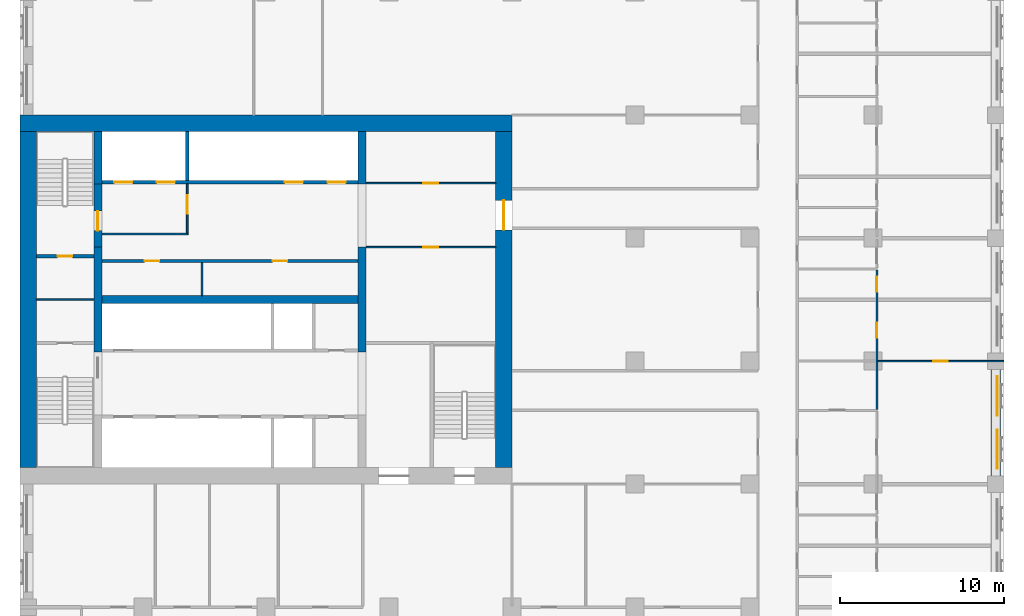
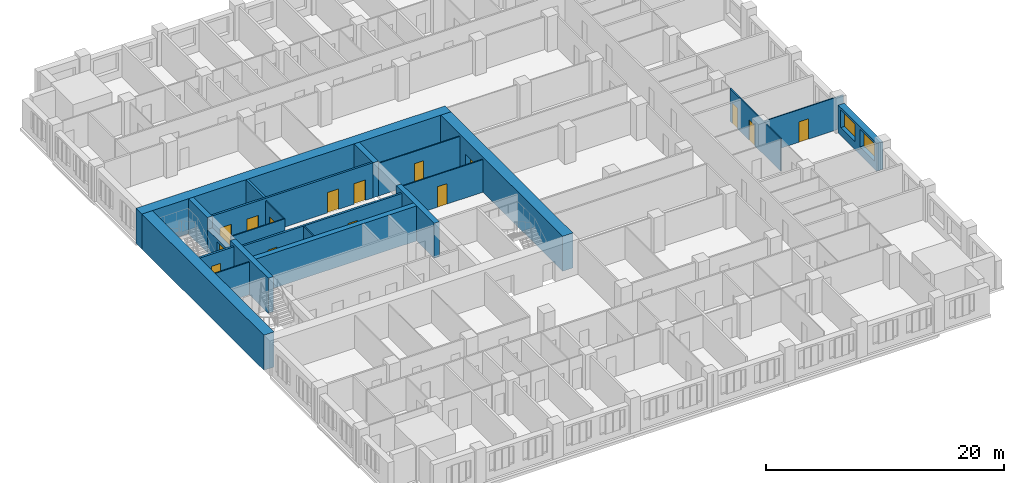
# One storey, part 8 of 15: 22 walls, 15 doors, 2 windows, 17 openings.
"""IFC4 building model written with IfcOpenShell, lengths in metres."""

from ifc_helpers import new_model, si_unit, direction, frame, frame_2d, origin, place, context, subcontext, project, spatial, rectangle, extrude, material, layer, layer_set, type_object, element, fill, save


model = new_model("IFC4")

# Units and contexts
model_context = context("Model", 3, precision=1e-05, world=origin(), true_north=direction((0.0, 1.0)))
body_context = subcontext(model_context, "Body", "Model", "MODEL_VIEW")
ifc_project = project(units=[si_unit("LENGTHUNIT", "METRE"), si_unit("AREAUNIT", "SQUARE_METRE"), si_unit("VOLUMEUNIT", "CUBIC_METRE"), si_unit("PLANEANGLEUNIT", "RADIAN"), si_unit("MASSUNIT", "GRAM", prefix="KILO")], contexts=[model_context])

# Site, building, storey
site_placement = place(None, origin())
site = spatial("IfcSite", under=ifc_project, at=site_placement, CompositionType="ELEMENT")
building_placement = place(site_placement, origin())
building = spatial("IfcBuilding", under=site, at=building_placement, Name="Tamorin Gate", CompositionType="ELEMENT")
storey_placement = place(building_placement, frame((0.0, 0.0, 97.10009765625)))
storey = spatial("IfcBuildingStorey", under=building, at=storey_placement, Name="L23", CompositionType="ELEMENT", Elevation=97.10009765625)

# Wall, openings, windows
ifc_material_1 = material(Name="Precast concrete C40/50", Category="concrete")
ifc_layer_1 = layer(ifc_material_1, 0.60009765625)
ifc_layer_set_1 = layer_set([ifc_layer_1], Name="Precast concrete C40/50")
wall_type_1 = type_object("IfcWallType", Name="Board-marked concrete facade panel 600", PredefinedType="SOLIDWALL", material=ifc_layer_set_1)
wall_1_placement = place(storey_placement, frame((89.5, 60.5, 0.0), z_axis=(0.0, 0.0, 1.0), x_axis=(0.0, 1.0, 0.0)))
wall_1 = element("IfcWall", 1, at=wall_1_placement, inside=storey, type_object=wall_type_1, Name="Facade panel", PredefinedType="SOLIDWALL", context=body_context, shape_type="SweptSolid", body=[
    extrude(rectangle(XDim=6.5, YDim=0.60009765625, at=frame_2d((3.25, 0.0))), origin(), (0.0, 0.0, 1.0), 2.849853515625),
])
opening_1_placement = place(wall_1_placement, frame((0.425048828125, 0.0, 0.800048828125)))
opening_1 = element("IfcOpeningElement", 2, at=opening_1_placement, cuts=wall_1, Name="Opening WN1", PredefinedType="OPENING", context=body_context, shape_type="SweptSolid", body=[
    extrude(rectangle(XDim=2.39990234375, YDim=1.800048828125, at=frame_2d((1.199951171875, 0.89990234375))), frame((0.0, 0.31005859375, 0.0), z_axis=(0.0, -1.0, 0.0), x_axis=(1.0, 0.0, 0.0)), (0.0, 0.0, 1.0), 0.6201171875),
])
opening_2_placement = place(wall_1_placement, frame((3.675048828125, 0.0, 0.800048828125)))
opening_2 = element("IfcOpeningElement", 3, at=opening_2_placement, cuts=wall_1, Name="Opening WN1", PredefinedType="OPENING", context=body_context, shape_type="SweptSolid", body=[
    extrude(rectangle(XDim=2.39990234375, YDim=1.800048828125, at=frame_2d((1.199951171875, 0.89990234375))), frame((0.0, 0.31005859375, 0.0), z_axis=(0.0, -1.0, 0.0), x_axis=(1.0, 0.0, 0.0)), (0.0, 0.0, 1.0), 0.6201171875),
])
ifc_material_2 = material(Name="Clear glass in aluminium frame", Category="aluminium")
window_type = type_object("IfcWindowType", Name="Deep-set window 2400x1800", PartitioningType="SINGLE_PANEL", PredefinedType="WINDOW", material=ifc_material_2)
window_1_placement = place(opening_1_placement, origin())
window_1 = element("IfcWindow", 4, at=window_1_placement, inside=storey, type_object=window_type, Name="Deep-set window", OverallHeight=1.800048828125, OverallWidth=2.39990234375, PartitioningType="SINGLE_PANEL", PredefinedType="WINDOW", context=body_context, shape_type="SweptSolid", body=[
    extrude(rectangle(XDim=2.39990234375, YDim=1.800048828125, at=frame_2d((1.199951171875, 0.89990234375))), frame((0.0, -0.070068359375, 0.0), z_axis=(0.0, -1.0, 0.0), x_axis=(1.0, 0.0, 0.0)), (0.0, 0.0, 1.0), 0.06005859375),
])
fill(opening_1, window_1)
window_2_placement = place(opening_2_placement, origin())
window_2 = element("IfcWindow", 5, at=window_2_placement, inside=storey, type_object=window_type, Name="Deep-set window", OverallHeight=1.800048828125, OverallWidth=2.39990234375, PartitioningType="SINGLE_PANEL", PredefinedType="WINDOW", context=body_context, shape_type="SweptSolid", body=[
    extrude(rectangle(XDim=2.39990234375, YDim=1.800048828125, at=frame_2d((1.199951171875, 0.89990234375))), frame((0.0, -0.070068359375, 0.0), z_axis=(0.0, -1.0, 0.0), x_axis=(1.0, 0.0, 0.0)), (0.0, 0.0, 1.0), 0.06005859375),
])
fill(opening_2, window_2)

# Wall, openings, doors
ifc_material_3 = material(Name="Concrete C32/40", Category="concrete")
ifc_layer_2 = layer(ifc_material_3, 0.199951171875)
ifc_layer_set_2 = layer_set([ifc_layer_2], Name="Lift lobby face wall 200 EI 120")
wall_type_2 = type_object("IfcWallType", Name="Lift lobby face wall 200 EI 120", PredefinedType="SOLIDWALL", material=ifc_layer_set_2)
wall_2_placement = place(storey_placement, frame((35.0, 78.39990234375, 0.0), z_axis=(0.0, 0.0, 1.0), x_axis=(1.0, 0.0, 0.0)))
wall_2 = element("IfcWall", 6, at=wall_2_placement, inside=storey, type_object=wall_type_2, Name="Lift lobby face wall", PredefinedType="SOLIDWALL", context=body_context, shape_type="SweptSolid", body=[
    extrude(rectangle(XDim=15.60009765625, YDim=0.199951171875, at=frame_2d((7.800048828125, 0.0))), origin(), (0.0, 0.0, 1.0), 3.599853515625),
])
opening_3_placement = place(wall_2_placement, frame((0.75, 0.0, 0.0)))
opening_3 = element("IfcOpeningElement", 7, at=opening_3_placement, cuts=wall_2, Name="Opening LD17", PredefinedType="OPENING", context=body_context, shape_type="SweptSolid", body=[
    extrude(rectangle(XDim=1.10009765625, YDim=2.10009765625, at=frame_2d((0.550048828125, 1.050048828125))), frame((0.0, 0.10986328125, 0.0), z_axis=(0.0, -1.0, 0.0), x_axis=(1.0, 0.0, 0.0)), (0.0, 0.0, 1.0), 0.219970703125),
])
opening_4_placement = place(wall_2_placement, frame((3.35009765625, 0.0, 0.0)))
opening_4 = element("IfcOpeningElement", 8, at=opening_4_placement, cuts=wall_2, Name="Opening LD18", PredefinedType="OPENING", context=body_context, shape_type="SweptSolid", body=[
    extrude(rectangle(XDim=1.10009765625, YDim=2.10009765625, at=frame_2d((0.550048828125, 1.050048828125))), frame((0.0, 0.10986328125, 0.0), z_axis=(0.0, -1.0, 0.0), x_axis=(1.0, 0.0, 0.0)), (0.0, 0.0, 1.0), 0.219970703125),
])
opening_5_placement = place(wall_2_placement, frame((11.14990234375, 0.0, 0.0)))
opening_5 = element("IfcOpeningElement", 9, at=opening_5_placement, cuts=wall_2, Name="Opening LD21", PredefinedType="OPENING", context=body_context, shape_type="SweptSolid", body=[
    extrude(rectangle(XDim=1.10009765625, YDim=2.10009765625, at=frame_2d((0.550048828125, 1.050048828125))), frame((0.0, 0.10986328125, 0.0), z_axis=(0.0, -1.0, 0.0), x_axis=(1.0, 0.0, 0.0)), (0.0, 0.0, 1.0), 0.219970703125),
])
opening_6_placement = place(wall_2_placement, frame((13.75, 0.0, 0.0)))
opening_6 = element("IfcOpeningElement", 10, at=opening_6_placement, cuts=wall_2, Name="Opening LD22", PredefinedType="OPENING", context=body_context, shape_type="SweptSolid", body=[
    extrude(rectangle(XDim=1.10009765625, YDim=2.10009765625, at=frame_2d((0.550048828125, 1.050048828125))), frame((0.0, 0.10986328125, 0.0), z_axis=(0.0, -1.0, 0.0), x_axis=(1.0, 0.0, 0.0)), (0.0, 0.0, 1.0), 0.219970703125),
])
ifc_material_4 = material(Name="Stainless steel sliding door", Category="steel")
door_type_1 = type_object("IfcDoorType", Name="Lift landing door 1100 x 2100 E 90", OperationType="DOUBLE_DOOR_SLIDING", PredefinedType="DOOR", material=ifc_material_4)
door_1_placement = place(opening_3_placement, origin())
door_1 = element("IfcDoor", 11, at=door_1_placement, inside=storey, type_object=door_type_1, Name="FF1 landing door", OperationType="DOUBLE_DOOR_SLIDING", OverallHeight=2.10009765625, OverallWidth=1.10009765625, PredefinedType="DOOR", context=body_context, shape_type="SweptSolid", body=[
    extrude(rectangle(XDim=1.10009765625, YDim=2.10009765625, at=frame_2d((0.550048828125, 1.050048828125))), frame((0.0, 0.02490234375, 0.0), z_axis=(0.0, -1.0, 0.0), x_axis=(1.0, 0.0, 0.0)), (0.0, 0.0, 1.0), 0.050048828125),
])
fill(opening_3, door_1)
door_2_placement = place(opening_4_placement, origin())
door_2 = element("IfcDoor", 12, at=door_2_placement, inside=storey, type_object=door_type_1, Name="FF2 landing door", OperationType="DOUBLE_DOOR_SLIDING", OverallHeight=2.10009765625, OverallWidth=1.10009765625, PredefinedType="DOOR", context=body_context, shape_type="SweptSolid", body=[
    extrude(rectangle(XDim=1.10009765625, YDim=2.10009765625, at=frame_2d((0.550048828125, 1.050048828125))), frame((0.0, 0.02490234375, 0.0), z_axis=(0.0, -1.0, 0.0), x_axis=(1.0, 0.0, 0.0)), (0.0, 0.0, 1.0), 0.050048828125),
])
fill(opening_4, door_2)
door_3_placement = place(opening_5_placement, origin())
door_3 = element("IfcDoor", 13, at=door_3_placement, inside=storey, type_object=door_type_1, Name="SV1 landing door", OperationType="DOUBLE_DOOR_SLIDING", OverallHeight=2.10009765625, OverallWidth=1.10009765625, PredefinedType="DOOR", context=body_context, shape_type="SweptSolid", body=[
    extrude(rectangle(XDim=1.10009765625, YDim=2.10009765625, at=frame_2d((0.550048828125, 1.050048828125))), frame((0.0, 0.02490234375, 0.0), z_axis=(0.0, -1.0, 0.0), x_axis=(1.0, 0.0, 0.0)), (0.0, 0.0, 1.0), 0.050048828125),
])
fill(opening_5, door_3)
door_4_placement = place(opening_6_placement, origin())
door_4 = element("IfcDoor", 14, at=door_4_placement, inside=storey, type_object=door_type_1, Name="SV2 landing door", OperationType="DOUBLE_DOOR_SLIDING", OverallHeight=2.10009765625, OverallWidth=1.10009765625, PredefinedType="DOOR", context=body_context, shape_type="SweptSolid", body=[
    extrude(rectangle(XDim=1.10009765625, YDim=2.10009765625, at=frame_2d((0.550048828125, 1.050048828125))), frame((0.0, 0.02490234375, 0.0), z_axis=(0.0, -1.0, 0.0), x_axis=(1.0, 0.0, 0.0)), (0.0, 0.0, 1.0), 0.050048828125),
])
fill(opening_6, door_4)

# Walls
ifc_layer_3 = layer(ifc_material_3, 0.199951171875)
ifc_layer_set_3 = layer_set([ifc_layer_3], Name="Lift shaft wall 200 EI 120")
wall_type_3 = type_object("IfcWallType", Name="Lift shaft wall 200 EI 120", PredefinedType="SOLIDWALL", material=ifc_layer_set_3)
wall_3_placement = place(storey_placement, frame((40.199951171875, 78.5, 0.0), z_axis=(0.0, 0.0, 1.0), x_axis=(0.0, 1.0, 0.0)))
element("IfcWall", 15, at=wall_3_placement, inside=storey, type_object=wall_type_3, Name="Lift shaft wall", PredefinedType="SOLIDWALL", context=body_context, shape_type="SweptSolid", body=[
    extrude(rectangle(XDim=3.0, YDim=0.199951171875, at=frame_2d((1.5, 0.0))), origin(), (0.0, 0.0, 1.0), 3.599853515625),
])
ifc_material_5 = material(Name="Fire-rated gypsum board partition")
ifc_layer_4 = layer(ifc_material_5, 0.10009765625)
ifc_layer_set_4 = layer_set([ifc_layer_4], Name="Lobby wall 100 EI 60")
wall_type_4 = type_object("IfcWallType", Name="Lobby wall 100 EI 60", PredefinedType="PARTITIONING", material=ifc_layer_set_4)
wall_4_placement = place(storey_placement, frame((35.0, 75.25, 0.0), z_axis=(0.0, 0.0, 1.0), x_axis=(1.0, 0.0, 0.0)))
element("IfcWall", 16, at=wall_4_placement, inside=storey, type_object=wall_type_4, Name="Firefighting lobby wall", PredefinedType="PARTITIONING", context=body_context, shape_type="SweptSolid", body=[
    extrude(rectangle(XDim=5.25, YDim=0.10009765625, at=frame_2d((2.625, 0.0))), origin(), (0.0, 0.0, 1.0), 3.349853515625),
])

# Wall, opening, door
wall_5_placement = place(storey_placement, frame((40.199951171875, 75.300048828125, 0.0), z_axis=(0.0, 0.0, 1.0), x_axis=(0.0, 1.0, 0.0)))
wall_5 = element("IfcWall", 17, at=wall_5_placement, inside=storey, type_object=wall_type_4, Name="Firefighting lobby wall", PredefinedType="PARTITIONING", context=body_context, shape_type="SweptSolid", body=[
    extrude(rectangle(XDim=3.0, YDim=0.10009765625, at=frame_2d((1.5, 0.0))), origin(), (0.0, 0.0, 1.0), 3.349853515625),
])
opening_7_placement = place(wall_5_placement, frame((1.199951171875, 0.0, 0.0)))
opening_7 = element("IfcOpeningElement", 18, at=opening_7_placement, cuts=wall_5, Name="Opening DF1", PredefinedType="OPENING", context=body_context, shape_type="SweptSolid", body=[
    extrude(rectangle(XDim=1.10009765625, YDim=2.10009765625, at=frame_2d((0.550048828125, 1.050048828125))), frame((0.0, 0.06005859375, 0.0), z_axis=(0.0, -1.0, 0.0), x_axis=(1.0, 0.0, 0.0)), (0.0, 0.0, 1.0), 0.1201171875),
])
ifc_material_6 = material(Name="Steel fire door", Category="steel")
door_type_2 = type_object("IfcDoorType", Name="Firefighting lobby door 1100 x 2100 EI 90", OperationType="SINGLE_SWING_LEFT", PredefinedType="DOOR", material=ifc_material_6)
door_5_placement = place(opening_7_placement, origin())
door_5 = element("IfcDoor", 19, at=door_5_placement, inside=storey, type_object=door_type_2, Name="Firefighting lobby door", OperationType="SINGLE_SWING_LEFT", OverallHeight=2.10009765625, OverallWidth=1.10009765625, PredefinedType="DOOR", context=body_context, shape_type="SweptSolid", body=[
    extrude(rectangle(XDim=1.10009765625, YDim=2.10009765625, at=frame_2d((0.550048828125, 1.050048828125))), frame((0.0, 0.02490234375, 0.0), z_axis=(0.0, -1.0, 0.0), x_axis=(1.0, 0.0, 0.0)), (0.0, 0.0, 1.0), 0.050048828125),
])
fill(opening_7, door_5)

# Walls
ifc_material_7 = material(Name="Concrete C80/95", Category="concrete")
ifc_layer_5 = layer(ifc_material_7, 0.5)
ifc_layer_set_5 = layer_set([ifc_layer_5], Name="RC core internal wall 500 C80/95")
wall_type_5 = type_object("IfcWallType", Name="RC core internal wall 500 C80/95", PredefinedType="SHEAR", material=ifc_layer_set_5)
wall_6_placement = place(storey_placement, frame((35.0, 71.25, 0.0), z_axis=(0.0, 0.0, 1.0), x_axis=(1.0, 0.0, 0.0)))
element("IfcWall", 20, at=wall_6_placement, inside=storey, type_object=wall_type_5, Name="Core spine wall L23", PredefinedType="SHEAR", context=body_context, shape_type="SweptSolid", body=[
    extrude(rectangle(XDim=15.60009765625, YDim=0.5, at=frame_2d((7.800048828125, 0.0))), origin(), (0.0, 0.0, 1.0), 3.599853515625),
])
wall_7_placement = place(storey_placement, frame((34.75, 68.050048828125, 0.0), z_axis=(0.0, 0.0, 1.0), x_axis=(0.0, 1.0, 0.0)))
element("IfcWall", 21, at=wall_7_placement, inside=storey, type_object=wall_type_5, Name="Core cross wall L23", PredefinedType="SHEAR", context=body_context, shape_type="SweptSolid", body=[
    extrude(rectangle(XDim=6.39990234375, YDim=0.5, at=frame_2d((3.199951171875, 0.0))), origin(), (0.0, 0.0, 1.0), 3.599853515625),
])
wall_8_placement = place(storey_placement, frame((34.75, 78.300048828125, 0.0), z_axis=(0.0, 0.0, 1.0), x_axis=(0.0, 1.0, 0.0)))
element("IfcWall", 22, at=wall_8_placement, inside=storey, type_object=wall_type_5, Name="Core cross wall L23", PredefinedType="SHEAR", context=body_context, shape_type="SweptSolid", body=[
    extrude(rectangle(XDim=3.199951171875, YDim=0.5, at=frame_2d((1.60009765625, 0.0))), origin(), (0.0, 0.0, 1.0), 3.599853515625),
])
wall_9_placement = place(storey_placement, frame((50.85009765625, 68.050048828125, 0.0), z_axis=(0.0, 0.0, 1.0), x_axis=(0.0, 1.0, 0.0)))
element("IfcWall", 23, at=wall_9_placement, inside=storey, type_object=wall_type_5, Name="Core cross wall L23", PredefinedType="SHEAR", context=body_context, shape_type="SweptSolid", body=[
    extrude(rectangle(XDim=6.39990234375, YDim=0.5, at=frame_2d((3.199951171875, 0.0))), origin(), (0.0, 0.0, 1.0), 3.599853515625),
])
wall_10_placement = place(storey_placement, frame((50.85009765625, 78.300048828125, 0.0), z_axis=(0.0, 0.0, 1.0), x_axis=(0.0, 1.0, 0.0)))
element("IfcWall", 24, at=wall_10_placement, inside=storey, type_object=wall_type_5, Name="Core cross wall L23", PredefinedType="SHEAR", context=body_context, shape_type="SweptSolid", body=[
    extrude(rectangle(XDim=3.199951171875, YDim=0.5, at=frame_2d((1.60009765625, 0.0))), origin(), (0.0, 0.0, 1.0), 3.599853515625),
])
ifc_layer_6 = layer(ifc_material_7, 1.0)
ifc_layer_set_6 = layer_set([ifc_layer_6], Name="RC core wall 1000 C80/95")
wall_type_6 = type_object("IfcWallType", Name="RC core wall 1000 C80/95", PredefinedType="SHEAR", material=ifc_layer_set_6)
wall_11_placement = place(storey_placement, frame((30.0, 82.0, 0.0), z_axis=(0.0, 0.0, 1.0), x_axis=(1.0, 0.0, 0.0)))
element("IfcWall", 25, at=wall_11_placement, inside=storey, type_object=wall_type_6, Name="Core wall L23", PredefinedType="SHEAR", context=body_context, shape_type="SweptSolid", body=[
    extrude(rectangle(XDim=30.0, YDim=1.0, at=frame_2d((15.0, 0.0))), origin(), (0.0, 0.0, 1.0), 3.599853515625),
])
wall_12_placement = place(storey_placement, frame((30.5, 61.0, 0.0), z_axis=(0.0, 0.0, 1.0), x_axis=(0.0, 1.0, 0.0)))
element("IfcWall", 26, at=wall_12_placement, inside=storey, type_object=wall_type_6, Name="Core wall L23", PredefinedType="SHEAR", context=body_context, shape_type="SweptSolid", body=[
    extrude(rectangle(XDim=20.5, YDim=1.0, at=frame_2d((10.25, 0.0))), origin(), (0.0, 0.0, 1.0), 3.599853515625),
])

# Wall, opening, door
wall_13_placement = place(storey_placement, frame((59.5, 61.0, 0.0), z_axis=(0.0, 0.0, 1.0), x_axis=(0.0, 1.0, 0.0)))
wall_13 = element("IfcWall", 27, at=wall_13_placement, inside=storey, type_object=wall_type_6, Name="Core wall L23", PredefinedType="SHEAR", context=body_context, shape_type="SweptSolid", body=[
    extrude(rectangle(XDim=20.5, YDim=1.0, at=frame_2d((10.25, 0.0))), origin(), (0.0, 0.0, 1.0), 3.599853515625),
])
opening_8_placement = place(wall_13_placement, frame((14.5, 0.0, 0.0)))
opening_8 = element("IfcOpeningElement", 28, at=opening_8_placement, cuts=wall_13, Name="Opening DE1", PredefinedType="OPENING", context=body_context, shape_type="SweptSolid", body=[
    extrude(rectangle(XDim=1.800048828125, YDim=2.10009765625, at=frame_2d((0.89990234375, 1.050048828125))), frame((0.0, 0.510009765625, 0.0), z_axis=(0.0, -1.0, 0.0), x_axis=(1.0, 0.0, 0.0)), (0.0, 0.0, 1.0), 1.02001953125),
])
door_type_3 = type_object("IfcDoorType", Name="Lobby exit double door 1800 x 2100 EI 60", OperationType="DOUBLE_DOOR_SINGLE_SWING", PredefinedType="DOOR", material=ifc_material_6)
door_6_placement = place(opening_8_placement, origin())
door_6 = element("IfcDoor", 29, at=door_6_placement, inside=storey, type_object=door_type_3, Name="Lift lobby B exit door", OperationType="DOUBLE_DOOR_SINGLE_SWING", OverallHeight=2.10009765625, OverallWidth=1.800048828125, PredefinedType="DOOR", context=body_context, shape_type="SweptSolid", body=[
    extrude(rectangle(XDim=1.800048828125, YDim=2.10009765625, at=frame_2d((0.89990234375, 1.050048828125))), frame((0.0, 0.02490234375, 0.0), z_axis=(0.0, -1.0, 0.0), x_axis=(1.0, 0.0, 0.0)), (0.0, 0.0, 1.0), 0.050048828125),
])
fill(opening_8, door_6)

# Wall
ifc_layer_7 = layer(ifc_material_5, 0.10009765625)
ifc_layer_set_7 = layer_set([ifc_layer_7], Name="Riser partition 100 EI 120")
wall_type_7 = type_object("IfcWallType", Name="Riser partition 100 EI 120", PredefinedType="PARTITIONING", material=ifc_layer_set_7)
wall_14_placement = place(storey_placement, frame((31.0, 71.25, 0.0), z_axis=(0.0, 0.0, 1.0), x_axis=(1.0, 0.0, 0.0)))
element("IfcWall", 30, at=wall_14_placement, inside=storey, type_object=wall_type_7, Name="Riser partition", PredefinedType="PARTITIONING", context=body_context, shape_type="SweptSolid", body=[
    extrude(rectangle(XDim=3.5, YDim=0.10009765625, at=frame_2d((1.75, 0.0))), origin(), (0.0, 0.0, 1.0), 3.349853515625),
])

# Wall, opening, door
ifc_material_8 = material(Name="Gypsum board partition")
ifc_layer_8 = layer(ifc_material_8, 0.10009765625)
ifc_layer_set_8 = layer_set([ifc_layer_8], Name="Room partition 100")
wall_type_8 = type_object("IfcWallType", Name="Room partition 100", PredefinedType="PARTITIONING", material=ifc_layer_set_8)
wall_15_placement = place(storey_placement, frame((82.3125, 67.5, 0.0), z_axis=(0.0, 0.0, 1.0), x_axis=(1.0, 0.0, 0.0)))
wall_15 = element("IfcWall", 31, at=wall_15_placement, inside=storey, type_object=wall_type_8, Name="Room partition 100", PredefinedType="PARTITIONING", context=body_context, shape_type="SweptSolid", body=[
    extrude(rectangle(XDim=7.6875, YDim=0.10009765625, at=frame_2d((3.84375, 0.0))), origin(), (0.0, 0.0, 1.0), 3.349853515625),
])
opening_9_placement = place(wall_15_placement, frame((3.362548828125, 0.0, 0.0)))
opening_9 = element("IfcOpeningElement", 32, at=opening_9_placement, cuts=wall_15, Name="Opening DH6061", PredefinedType="OPENING", context=body_context, shape_type="SweptSolid", body=[
    extrude(rectangle(XDim=0.89990234375, YDim=2.10009765625, at=frame_2d((0.449951171875, 1.050048828125))), frame((0.0, 0.06005859375, 0.0), z_axis=(0.0, -1.0, 0.0), x_axis=(1.0, 0.0, 0.0)), (0.0, 0.0, 1.0), 0.1201171875),
])
ifc_material_9 = material(Name="Timber door leaf", Category="wood")
door_type_4 = type_object("IfcDoorType", Name="Door 900 x 2100", OperationType="NOTDEFINED", PredefinedType="DOOR", material=ifc_material_9)
door_7_placement = place(opening_9_placement, origin())
door_7 = element("IfcDoor", 33, at=door_7_placement, inside=storey, type_object=door_type_4, Name="Door DH6061", OperationType="SINGLE_SWING_RIGHT", OverallHeight=2.10009765625, OverallWidth=0.89990234375, PredefinedType="DOOR", context=body_context, shape_type="SweptSolid", body=[
    extrude(rectangle(XDim=0.89990234375, YDim=2.10009765625, at=frame_2d((0.449951171875, 1.050048828125))), frame((0.0, 0.02490234375, 0.0), z_axis=(0.0, -1.0, 0.0), x_axis=(1.0, 0.0, 0.0)), (0.0, 0.0, 1.0), 0.050048828125),
])
fill(opening_9, door_7)

# Wall, openings, doors
ifc_layer_9 = layer(ifc_material_8, 0.199951171875)
ifc_layer_set_9 = layer_set([ifc_layer_9], Name="Service room face wall 200 EI 60")
wall_type_9 = type_object("IfcWallType", Name="Service room face wall 200 EI 60", PredefinedType="PARTITIONING", material=ifc_layer_set_9)
wall_16_placement = place(storey_placement, frame((35.0, 73.60009765625, 0.0), z_axis=(0.0, 0.0, 1.0), x_axis=(1.0, 0.0, 0.0)))
wall_16 = element("IfcWall", 34, at=wall_16_placement, inside=storey, type_object=wall_type_9, Name="Service room face wall", PredefinedType="PARTITIONING", context=body_context, shape_type="SweptSolid", body=[
    extrude(rectangle(XDim=15.60009765625, YDim=0.199951171875, at=frame_2d((7.800048828125, 0.0))), origin(), (0.0, 0.0, 1.0), 3.349853515625),
])
opening_10_placement = place(wall_16_placement, frame((2.60009765625, 0.0, 0.0)))
opening_10 = element("IfcOpeningElement", 35, at=opening_10_placement, cuts=wall_16, Name="Opening DK1", PredefinedType="OPENING", context=body_context, shape_type="SweptSolid", body=[
    extrude(rectangle(XDim=0.89990234375, YDim=2.10009765625, at=frame_2d((0.449951171875, 1.050048828125))), frame((0.0, 0.10986328125, 0.0), z_axis=(0.0, -1.0, 0.0), x_axis=(1.0, 0.0, 0.0)), (0.0, 0.0, 1.0), 0.219970703125),
])
opening_11_placement = place(wall_16_placement, frame((10.39990234375, 0.0, 0.0)))
opening_11 = element("IfcOpeningElement", 36, at=opening_11_placement, cuts=wall_16, Name="Opening DK1", PredefinedType="OPENING", context=body_context, shape_type="SweptSolid", body=[
    extrude(rectangle(XDim=0.89990234375, YDim=2.10009765625, at=frame_2d((0.449951171875, 1.050048828125))), frame((0.0, 0.10986328125, 0.0), z_axis=(0.0, -1.0, 0.0), x_axis=(1.0, 0.0, 0.0)), (0.0, 0.0, 1.0), 0.219970703125),
])
ifc_material_10 = material(Name="Timber fire door", Category="wood")
door_type_5 = type_object("IfcDoorType", Name="Service room door 900 x 2100 EI 60", OperationType="SINGLE_SWING_LEFT", PredefinedType="DOOR", material=ifc_material_10)
door_8_placement = place(opening_10_placement, origin())
door_8 = element("IfcDoor", 37, at=door_8_placement, inside=storey, type_object=door_type_5, Name="Door Cleaner's store", OperationType="SINGLE_SWING_LEFT", OverallHeight=2.10009765625, OverallWidth=0.89990234375, PredefinedType="DOOR", context=body_context, shape_type="SweptSolid", body=[
    extrude(rectangle(XDim=0.89990234375, YDim=2.10009765625, at=frame_2d((0.449951171875, 1.050048828125))), frame((0.0, 0.02490234375, 0.0), z_axis=(0.0, -1.0, 0.0), x_axis=(1.0, 0.0, 0.0)), (0.0, 0.0, 1.0), 0.050048828125),
])
fill(opening_10, door_8)
door_9_placement = place(opening_11_placement, origin())
door_9 = element("IfcDoor", 38, at=door_9_placement, inside=storey, type_object=door_type_5, Name="Door Pantry", OperationType="SINGLE_SWING_RIGHT", OverallHeight=2.10009765625, OverallWidth=0.89990234375, PredefinedType="DOOR", context=body_context, shape_type="SweptSolid", body=[
    extrude(rectangle(XDim=0.89990234375, YDim=2.10009765625, at=frame_2d((0.449951171875, 1.050048828125))), frame((0.0, 0.02490234375, 0.0), z_axis=(0.0, -1.0, 0.0), x_axis=(1.0, 0.0, 0.0)), (0.0, 0.0, 1.0), 0.050048828125),
])
fill(opening_11, door_9)

# Wall
ifc_layer_10 = layer(ifc_material_8, 0.10009765625)
ifc_layer_set_10 = layer_set([ifc_layer_10], Name="Service room partition 100 EI 60")
wall_type_10 = type_object("IfcWallType", Name="Service room partition 100 EI 60", PredefinedType="PARTITIONING", material=ifc_layer_set_10)
wall_17_placement = place(storey_placement, frame((41.10009765625, 71.5, 0.0), z_axis=(0.0, 0.0, 1.0), x_axis=(0.0, 1.0, 0.0)))
element("IfcWall", 39, at=wall_17_placement, inside=storey, type_object=wall_type_10, Name="Service room partition", PredefinedType="PARTITIONING", context=body_context, shape_type="SweptSolid", body=[
    extrude(rectangle(XDim=2.0, YDim=0.10009765625, at=frame_2d((1.0, 0.0))), origin(), (0.0, 0.0, 1.0), 3.349853515625),
])

# Wall, opening, door
wall_18_placement = place(storey_placement, frame((51.10009765625, 74.449951171875, 0.0), z_axis=(0.0, 0.0, 1.0), x_axis=(1.0, 0.0, 0.0)))
wall_18 = element("IfcWall", 40, at=wall_18_placement, inside=storey, type_object=wall_type_10, Name="Service room wall", PredefinedType="PARTITIONING", context=body_context, shape_type="SweptSolid", body=[
    extrude(rectangle(XDim=7.89990234375, YDim=0.10009765625, at=frame_2d((3.949951171875, 0.0))), origin(), (0.0, 0.0, 1.0), 3.349853515625),
])
opening_12_placement = place(wall_18_placement, frame((3.5, 0.0, 0.0)))
opening_12 = element("IfcOpeningElement", 41, at=opening_12_placement, cuts=wall_18, Name="Opening DR1", PredefinedType="OPENING", context=body_context, shape_type="SweptSolid", body=[
    extrude(rectangle(XDim=0.89990234375, YDim=2.10009765625, at=frame_2d((0.449951171875, 1.050048828125))), frame((0.0, 0.06005859375, 0.0), z_axis=(0.0, -1.0, 0.0), x_axis=(1.0, 0.0, 0.0)), (0.0, 0.0, 1.0), 0.1201171875),
])
door_type_6 = type_object("IfcDoorType", Name="Riser access door 900 x 2100 EI 120", OperationType="SINGLE_SWING_LEFT", PredefinedType="DOOR", material=ifc_material_6)
door_10_placement = place(opening_12_placement, origin())
door_10 = element("IfcDoor", 42, at=door_10_placement, inside=storey, type_object=door_type_6, Name="Duct riser door", OperationType="SINGLE_SWING_LEFT", OverallHeight=2.10009765625, OverallWidth=0.89990234375, PredefinedType="DOOR", context=body_context, shape_type="SweptSolid", body=[
    extrude(rectangle(XDim=0.89990234375, YDim=2.10009765625, at=frame_2d((0.449951171875, 1.050048828125))), frame((0.0, 0.02490234375, 0.0), z_axis=(0.0, -1.0, 0.0), x_axis=(1.0, 0.0, 0.0)), (0.0, 0.0, 1.0), 0.050048828125),
])
fill(opening_12, door_10)

wall_19_placement = place(storey_placement, frame((51.10009765625, 78.35009765625, 0.0), z_axis=(0.0, 0.0, 1.0), x_axis=(1.0, 0.0, 0.0)))
wall_19 = element("IfcWall", 43, at=wall_19_placement, inside=storey, type_object=wall_type_10, Name="Service room wall", PredefinedType="PARTITIONING", context=body_context, shape_type="SweptSolid", body=[
    extrude(rectangle(XDim=7.89990234375, YDim=0.10009765625, at=frame_2d((3.949951171875, 0.0))), origin(), (0.0, 0.0, 1.0), 3.349853515625),
])
opening_13_placement = place(wall_19_placement, frame((3.5, 0.0, 0.0)))
opening_13 = element("IfcOpeningElement", 44, at=opening_13_placement, cuts=wall_19, Name="Opening DK1", PredefinedType="OPENING", context=body_context, shape_type="SweptSolid", body=[
    extrude(rectangle(XDim=0.89990234375, YDim=2.10009765625, at=frame_2d((0.449951171875, 1.050048828125))), frame((0.0, 0.06005859375, 0.0), z_axis=(0.0, -1.0, 0.0), x_axis=(1.0, 0.0, 0.0)), (0.0, 0.0, 1.0), 0.1201171875),
])
door_11_placement = place(opening_13_placement, origin())
door_11 = element("IfcDoor", 45, at=door_11_placement, inside=storey, type_object=door_type_5, Name="Door Store", OperationType="SINGLE_SWING_LEFT", OverallHeight=2.10009765625, OverallWidth=0.89990234375, PredefinedType="DOOR", context=body_context, shape_type="SweptSolid", body=[
    extrude(rectangle(XDim=0.89990234375, YDim=2.10009765625, at=frame_2d((0.449951171875, 1.050048828125))), frame((0.0, 0.02490234375, 0.0), z_axis=(0.0, -1.0, 0.0), x_axis=(1.0, 0.0, 0.0)), (0.0, 0.0, 1.0), 0.050048828125),
])
fill(opening_13, door_11)

ifc_material_11 = material(Name="Concrete C40/50", Category="concrete")
ifc_layer_11 = layer(ifc_material_11, 0.199951171875)
ifc_layer_set_11 = layer_set([ifc_layer_11], Name="Stair enclosure wall 200 EI 120 C40/50")
wall_type_11 = type_object("IfcWallType", Name="Stair enclosure wall 200 EI 120 C40/50", PredefinedType="SOLIDWALL", material=ifc_layer_set_11)
wall_20_placement = place(storey_placement, frame((31.0, 73.89990234375, 0.0), z_axis=(0.0, 0.0, 1.0), x_axis=(1.0, 0.0, 0.0)))
wall_20 = element("IfcWall", 46, at=wall_20_placement, inside=storey, type_object=wall_type_11, Name="Stair enclosure wall", PredefinedType="SOLIDWALL", context=body_context, shape_type="SweptSolid", body=[
    extrude(rectangle(XDim=3.5, YDim=0.199951171875, at=frame_2d((1.75, 0.0))), origin(), (0.0, 0.0, 1.0), 3.349853515625),
])
opening_14_placement = place(wall_20_placement, frame((1.300048828125, 0.0, 0.0)))
opening_14 = element("IfcOpeningElement", 47, at=opening_14_placement, cuts=wall_20, Name="Opening DR1", PredefinedType="OPENING", context=body_context, shape_type="SweptSolid", body=[
    extrude(rectangle(XDim=0.89990234375, YDim=2.10009765625, at=frame_2d((0.449951171875, 1.050048828125))), frame((0.0, 0.10986328125, 0.0), z_axis=(0.0, -1.0, 0.0), x_axis=(1.0, 0.0, 0.0)), (0.0, 0.0, 1.0), 0.219970703125),
])
door_12_placement = place(opening_14_placement, origin())
door_12 = element("IfcDoor", 48, at=door_12_placement, inside=storey, type_object=door_type_6, Name="Communications riser door", OperationType="SINGLE_SWING_RIGHT", OverallHeight=2.10009765625, OverallWidth=0.89990234375, PredefinedType="DOOR", context=body_context, shape_type="SweptSolid", body=[
    extrude(rectangle(XDim=0.89990234375, YDim=2.10009765625, at=frame_2d((0.449951171875, 1.050048828125))), frame((0.0, 0.02490234375, 0.0), z_axis=(0.0, -1.0, 0.0), x_axis=(1.0, 0.0, 0.0)), (0.0, 0.0, 1.0), 0.050048828125),
])
fill(opening_14, door_12)

ifc_layer_12 = layer(ifc_material_3, 0.5)
ifc_layer_set_12 = layer_set([ifc_layer_12], Name="Stair lobby infill wall 500 EI 120")
wall_type_12 = type_object("IfcWallType", Name="Stair lobby infill wall 500 EI 120", PredefinedType="SOLIDWALL", material=ifc_layer_set_12)
wall_21_placement = place(storey_placement, frame((34.75, 74.449951171875, 0.0), z_axis=(0.0, 0.0, 1.0), x_axis=(0.0, 1.0, 0.0)))
wall_21 = element("IfcWall", 49, at=wall_21_placement, inside=storey, type_object=wall_type_12, Name="Stair lobby infill wall", PredefinedType="SOLIDWALL", context=body_context, shape_type="SweptSolid", body=[
    extrude(rectangle(XDim=3.85009765625, YDim=0.5, at=frame_2d((1.925048828125, 0.0))), origin(), (0.0, 0.0, 1.0), 2.39990234375),
])
opening_15_placement = place(wall_21_placement, frame((1.0, 0.0, 0.0)))
opening_15 = element("IfcOpeningElement", 50, at=opening_15_placement, cuts=wall_21, Name="Opening DS1", PredefinedType="OPENING", context=body_context, shape_type="SweptSolid", body=[
    extrude(rectangle(XDim=1.199951171875, YDim=2.10009765625, at=frame_2d((0.60009765625, 1.050048828125))), frame((0.0, 0.260009765625, 0.0), z_axis=(0.0, -1.0, 0.0), x_axis=(1.0, 0.0, 0.0)), (0.0, 0.0, 1.0), 0.52001953125),
])
door_type_7 = type_object("IfcDoorType", Name="Stair door 1200 x 2100 EI 90", OperationType="SINGLE_SWING_LEFT", PredefinedType="DOOR", material=ifc_material_6)
door_13_placement = place(opening_15_placement, origin())
door_13 = element("IfcDoor", 51, at=door_13_placement, inside=storey, type_object=door_type_7, Name="ST2 door", OperationType="SINGLE_SWING_RIGHT", OverallHeight=2.10009765625, OverallWidth=1.199951171875, PredefinedType="DOOR", context=body_context, shape_type="SweptSolid", body=[
    extrude(rectangle(XDim=1.199951171875, YDim=2.10009765625, at=frame_2d((0.60009765625, 1.050048828125))), frame((0.0, 0.02490234375, 0.0), z_axis=(0.0, -1.0, 0.0), x_axis=(1.0, 0.0, 0.0)), (0.0, 0.0, 1.0), 0.050048828125),
])
fill(opening_15, door_13)

# Wall, openings, doors
ifc_layer_13 = layer(ifc_material_8, 0.125)
ifc_layer_set_13 = layer_set([ifc_layer_13], Name="Wet wall 125")
wall_type_13 = type_object("IfcWallType", Name="Wet wall 125", PredefinedType="PARTITIONING", material=ifc_layer_set_13)
wall_22_placement = place(storey_placement, frame((82.25, 64.5625, 0.0), z_axis=(0.0, 0.0, 1.0), x_axis=(0.0, 1.0, 0.0)))
wall_22 = element("IfcWall", 52, at=wall_22_placement, inside=storey, type_object=wall_type_13, Name="Wet wall 125", PredefinedType="PARTITIONING", context=body_context, shape_type="SweptSolid", body=[
    extrude(rectangle(XDim=8.5, YDim=0.125, at=frame_2d((4.25, 0.0))), origin(), (0.0, 0.0, 1.0), 3.349853515625),
])
opening_16_placement = place(wall_22_placement, frame((4.362548828125, 0.0, 0.0)))
opening_16 = element("IfcOpeningElement", 53, at=opening_16_placement, cuts=wall_22, Name="Opening DH6060", PredefinedType="OPENING", context=body_context, shape_type="SweptSolid", body=[
    extrude(rectangle(XDim=0.89990234375, YDim=2.10009765625, at=frame_2d((0.449951171875, 1.050048828125))), frame((0.0, 0.072509765625, 0.0), z_axis=(0.0, -1.0, 0.0), x_axis=(1.0, 0.0, 0.0)), (0.0, 0.0, 1.0), 0.14501953125),
])
opening_17_placement = place(wall_22_placement, frame((7.175048828125, 0.0, 0.0)))
opening_17 = element("IfcOpeningElement", 54, at=opening_17_placement, cuts=wall_22, Name="Opening DH6062", PredefinedType="OPENING", context=body_context, shape_type="SweptSolid", body=[
    extrude(rectangle(XDim=0.89990234375, YDim=2.10009765625, at=frame_2d((0.449951171875, 1.050048828125))), frame((0.0, 0.072509765625, 0.0), z_axis=(0.0, -1.0, 0.0), x_axis=(1.0, 0.0, 0.0)), (0.0, 0.0, 1.0), 0.14501953125),
])
door_14_placement = place(opening_16_placement, origin())
door_14 = element("IfcDoor", 55, at=door_14_placement, inside=storey, type_object=door_type_4, Name="Door DH6060", OperationType="SINGLE_SWING_LEFT", OverallHeight=2.10009765625, OverallWidth=0.89990234375, PredefinedType="DOOR", context=body_context, shape_type="SweptSolid", body=[
    extrude(rectangle(XDim=0.89990234375, YDim=2.10009765625, at=frame_2d((0.449951171875, 1.050048828125))), frame((0.0, 0.02490234375, 0.0), z_axis=(0.0, -1.0, 0.0), x_axis=(1.0, 0.0, 0.0)), (0.0, 0.0, 1.0), 0.050048828125),
])
fill(opening_16, door_14)
door_15_placement = place(opening_17_placement, origin())
door_15 = element("IfcDoor", 56, at=door_15_placement, inside=storey, type_object=door_type_4, Name="Door DH6062", OperationType="SINGLE_SWING_LEFT", OverallHeight=2.10009765625, OverallWidth=0.89990234375, PredefinedType="DOOR", context=body_context, shape_type="SweptSolid", body=[
    extrude(rectangle(XDim=0.89990234375, YDim=2.10009765625, at=frame_2d((0.449951171875, 1.050048828125))), frame((0.0, 0.02490234375, 0.0), z_axis=(0.0, -1.0, 0.0), x_axis=(1.0, 0.0, 0.0)), (0.0, 0.0, 1.0), 0.050048828125),
])
fill(opening_17, door_15)

save(model, "model.ifc")
